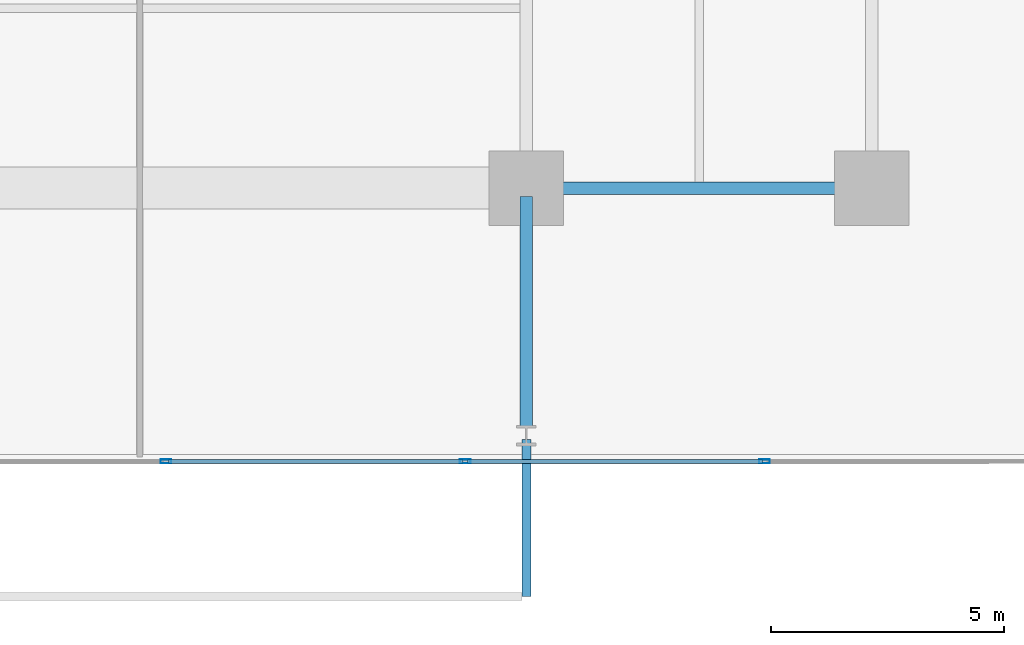
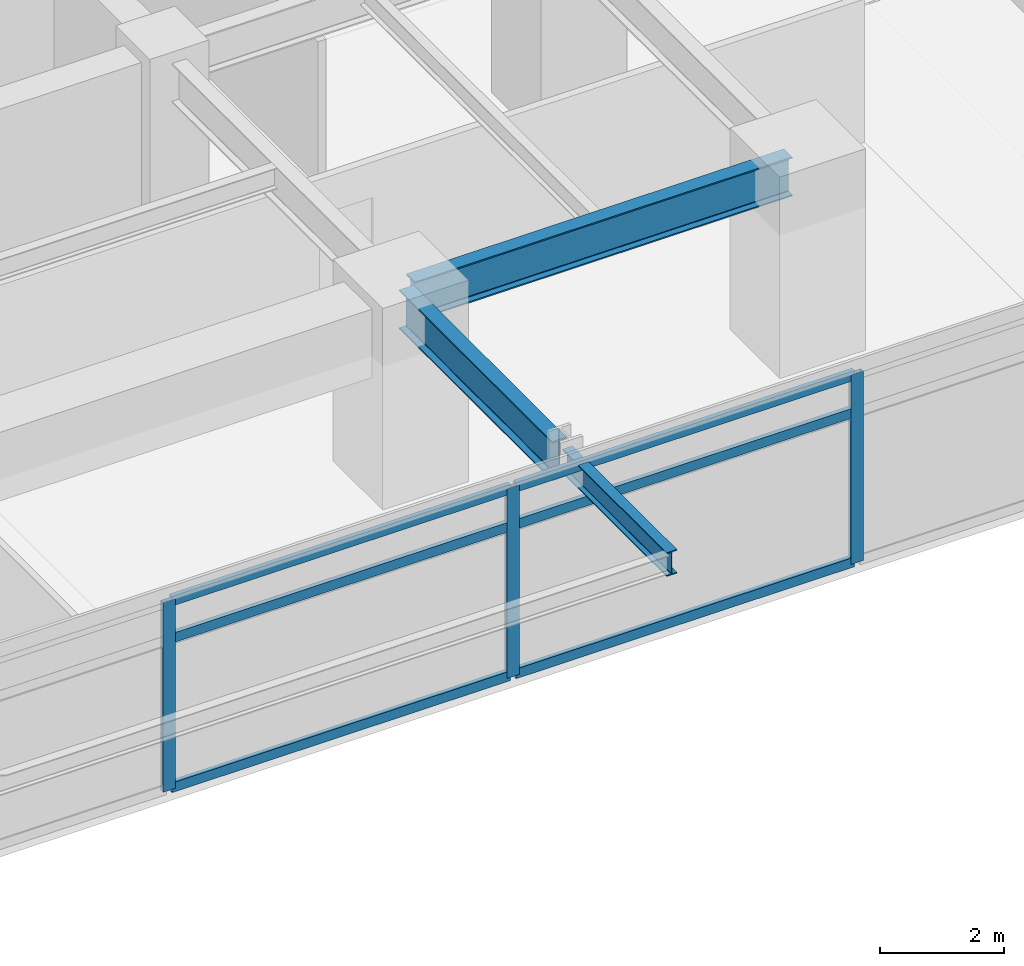
# One storey, part 9 of 24: 9 members, 3 beams, 1 element without a shape of its own.
"""IFC4 building model written with IfcOpenShell, lengths in metres."""

import ifcopenshell
import ifcopenshell.guid

model = None  # the IFC model being written
_history = None  # IfcOwnerHistory: only IFC2X3 demands one
_inside = {}  # id of a spatial element -> (the spatial element, [elements in it])
_under = {}  # id of a project, library or spatial element -> (it, [spatial elements below it])
_declared = {}  # id of a project -> (the project, [libraries it declares])
_typed = {}  # id of a type object -> (the type object, [elements of that type])
_made_of = {}  # id of a material, layer set ... -> (it, [elements and type objects made of it])


def new_model(schema):
    """Start an empty IFC model of exactly this schema.

    Asked for "IFC4X3", IfcOpenShell would pick the latest addendum, in which some entities
    have other attributes; the version numbers below select the first issue.
    IFC2X3 requires an IfcOwnerHistory on every rooted entity: one is made here for all.
    """
    global model, _history
    if schema == "IFC4X3":
        model = ifcopenshell.file(schema_version=(4, 3, 0, 0))
    else:
        model = ifcopenshell.file(schema=schema)
    _inside.clear()
    _under.clear()
    _declared.clear()
    _typed.clear()
    _made_of.clear()
    _history = None
    if model.schema == "IFC2X3":
        org = make("IfcOrganization", Name="unknown")
        user = make(
            "IfcPersonAndOrganization",
            ThePerson=make("IfcPerson", FamilyName="unknown"),
            TheOrganization=org,
        )
        app = make(
            "IfcApplication",
            ApplicationDeveloper=org,
            Version="unknown",
            ApplicationFullName="unknown",
            ApplicationIdentifier="unknown",
        )
        _history = make(
            "IfcOwnerHistory",
            OwningUser=user,
            OwningApplication=app,
            ChangeAction="ADDED",
            CreationDate=0,
        )
    return model


def make(cls, **values):
    """One entity of the class cls with the attributes given. An attribute that is None is left unset."""
    return model.create_entity(
        cls, **{name: value for name, value in values.items() if value is not None}
    )


def rooted(cls, **values):
    """An entity with a GlobalId (a new one), such as an element, a storey or a relation."""
    return make(cls, GlobalId=ifcopenshell.guid.new(), OwnerHistory=_history, **values)


def si_unit(unit_type, name, prefix=None):
    """IfcSIUnit, for example si_unit("LENGTHUNIT", "METRE", prefix="MILLI")."""
    return make("IfcSIUnit", UnitType=unit_type, Prefix=prefix, Name=name)


def assignment(units):
    """IfcUnitAssignment: the units of a project."""
    return None if units is None else make("IfcUnitAssignment", Units=units)


def point(xyz):
    """IfcCartesianPoint."""
    return None if xyz is None else make("IfcCartesianPoint", Coordinates=xyz)


def direction(xyz):
    """IfcDirection."""
    return None if xyz is None else make("IfcDirection", DirectionRatios=xyz)


def frame(location, z_axis=None, x_axis=None):
    """IfcAxis2Placement3D, a coordinate frame: its origin and axes. An axis left out is left unset."""
    return make(
        "IfcAxis2Placement3D",
        Location=point(location),
        Axis=direction(z_axis),
        RefDirection=direction(x_axis),
    )


def frame_2d(location, x_axis=None):
    """IfcAxis2Placement2D, a coordinate frame in the plane: its origin and x axis."""
    return make(
        "IfcAxis2Placement2D", Location=point(location), RefDirection=direction(x_axis)
    )


def origin():
    """The frame at (0, 0, 0) with its axes left unset."""
    return frame((0.0, 0.0, 0.0))


def origin_2d():
    """The frame at (0, 0) in the plane with its x axis left unset."""
    return frame_2d((0.0, 0.0))


def place(relative_to, where):
    """IfcLocalPlacement: puts the frame where relative to a parent placement (None: the world)."""
    return make(
        "IfcLocalPlacement", PlacementRelTo=relative_to, RelativePlacement=where
    )


def context(
    kind, dimensions, precision=None, world=None, true_north=None, identifier=None
):
    """IfcGeometricRepresentationContext, for example the 3D "Model" context."""
    return make(
        "IfcGeometricRepresentationContext",
        ContextIdentifier=identifier,
        ContextType=kind,
        CoordinateSpaceDimension=dimensions,
        Precision=precision,
        WorldCoordinateSystem=world,
        TrueNorth=true_north,
    )


def subcontext(parent, identifier, kind, view, scale=None):
    """IfcGeometricRepresentationSubContext, for example "Body" below "Model"."""
    return make(
        "IfcGeometricRepresentationSubContext",
        ContextIdentifier=identifier,
        ContextType=kind,
        ParentContext=parent,
        TargetScale=scale,
        TargetView=view,
    )


def project(units=None, contexts=None):
    """IfcProject with its units and contexts."""
    return rooted(
        "IfcProject",
        Name="project",
        RepresentationContexts=contexts,
        UnitsInContext=assignment(units),
    )


def spatial(cls, under=None, at=None, **own):
    """A site, building, storey or space (cls), placed at a placement, below another one or the project."""
    s = rooted(cls, ObjectPlacement=at, **own)
    if under is not None:
        _under.setdefault(under.id(), (under, []))[1].append(s)
    return s


def profile(cls, at=None, kind="AREA", **sizes):
    """A parametric profile (cls). Its sizes go by their IFC names, for example OverallWidth=200.0."""
    return make(cls, ProfileType=kind, Position=at, **sizes)


def hollow_rectangle(**sizes):
    """IfcRectangleHollowProfileDef."""
    return profile("IfcRectangleHollowProfileDef", **sizes)


def i_section(**sizes):
    """IfcIShapeProfileDef."""
    return profile("IfcIShapeProfileDef", **sizes)


def extrude(swept, where, along, depth):
    """IfcExtrudedAreaSolid: the profile swept, set in the frame where, extruded along a direction by depth."""
    return make(
        "IfcExtrudedAreaSolid",
        SweptArea=swept,
        Position=where,
        ExtrudedDirection=direction(along),
        Depth=depth,
    )


def shape(context_of_items, identifier, shape_type, items):
    """IfcShapeRepresentation: the items that make up one representation, for example the "Body"."""
    return make(
        "IfcShapeRepresentation",
        ContextOfItems=context_of_items,
        RepresentationIdentifier=identifier,
        RepresentationType=shape_type,
        Items=items,
    )


def material(Name=None, Category=None):
    """IfcMaterial."""
    return make("IfcMaterial", Name=Name, Category=Category)


def material_profile(
    of_material, cross_section, Name=None, Category=None, Priority=None
):
    """IfcMaterialProfile: a cross section and its material."""
    return make(
        "IfcMaterialProfile",
        Name=Name,
        Material=of_material,
        Profile=cross_section,
        Priority=Priority,
        Category=Category,
    )


def profile_set(profiles, Name=None, composite=None):
    """IfcMaterialProfileSet."""
    return make(
        "IfcMaterialProfileSet",
        Name=Name,
        MaterialProfiles=profiles,
        CompositeProfile=composite,
    )


def made_of(thing, what):
    """Note that an element or type object is made of a material, layer set ...; save() writes the relation."""
    if what is not None:
        _made_of.setdefault(what.id(), (what, []))[1].append(thing)
    return thing


def type_object(cls, material=None, **own):
    """A type object (cls), such as IfcWallType, which elements share."""
    return made_of(rooted(cls, **own), material)


def element(
    cls,
    number,
    at=None,
    inside=None,
    cuts=None,
    type_object=None,
    material=None,
    context=None,
    identifier="Body",
    shape_type=None,
    held_by="IfcProductDefinitionShape",
    body=None,
    shapes=None,
    **own,
):
    """One element of the class cls, such as IfcWall. Its Tag is "e" and its number.

    at: its placement. inside: the storey or other place that contains it. cuts: it is an
    opening in that element (IfcRelVoidsElement). A single representation is given by context,
    identifier, shape_type and body (its items); several are given by shapes. held_by: the class
    of the entity that holds the representations. save() writes the other relations.
    """
    e = rooted(cls, Tag="e%d" % number, ObjectPlacement=at, **own)
    if body is not None:
        shapes = [shape(context, identifier, shape_type, body)]
    if shapes is not None:
        e.Representation = make(held_by, Representations=shapes)
    if inside is not None:
        _inside.setdefault(inside.id(), (inside, []))[1].append(e)
    if cuts is not None:
        rooted(
            "IfcRelVoidsElement", RelatingBuildingElement=cuts, RelatedOpeningElement=e
        )
    if type_object is not None:
        _typed.setdefault(type_object.id(), (type_object, []))[1].append(e)
    return made_of(e, material)


def aggregate(whole, parts):
    """IfcRelAggregates: a whole, such as a stair, and the parts it consists of."""
    return rooted("IfcRelAggregates", RelatingObject=whole, RelatedObjects=parts)


def save(model, path):
    """Write the relations noted so far, then the file.

    IfcRelAggregates (storeys below a building ...), IfcRelContainedInSpatialStructure (elements
    in a storey), IfcRelDefinesByType, IfcRelAssociatesMaterial and IfcRelDeclares: one each for
    every whole, place, type object, material and project.
    """
    for whole, parts in _under.values():
        aggregate(whole, parts)
    for where, things in _inside.values():
        rooted(
            "IfcRelContainedInSpatialStructure",
            RelatedElements=things,
            RelatingStructure=where,
        )
    for kind, things in _typed.values():
        rooted("IfcRelDefinesByType", RelatedObjects=things, RelatingType=kind)
    for what, things in _made_of.values():
        rooted("IfcRelAssociatesMaterial", RelatedObjects=things, RelatingMaterial=what)
    for by, libraries in _declared.values():
        rooted("IfcRelDeclares", RelatingContext=by, RelatedDefinitions=libraries)
    model.write(path)


model = new_model("IFC4")

# Units and contexts
model_context = context("Model", 3, precision=1e-05, world=origin(), true_north=direction((0.0, 1.0)))
body_context = subcontext(model_context, "Body", "Model", "MODEL_VIEW")
ifc_project = project(units=[si_unit("LENGTHUNIT", "METRE"), si_unit("AREAUNIT", "SQUARE_METRE"), si_unit("VOLUMEUNIT", "CUBIC_METRE"), si_unit("PLANEANGLEUNIT", "RADIAN"), si_unit("MASSUNIT", "GRAM", prefix="KILO")], contexts=[model_context])

# Site, building, storey
site_placement = place(None, origin())
site = spatial("IfcSite", under=ifc_project, at=site_placement, CompositionType="ELEMENT")
building_placement = place(site_placement, origin())
building = spatial("IfcBuilding", under=site, at=building_placement, Name="Kovane Verandah Tower", CompositionType="ELEMENT")
storey_placement = place(building_placement, frame((0.0, 0.0, 132.39990234375)))
storey = spatial("IfcBuildingStorey", under=building, at=storey_placement, Name="L30", CompositionType="ELEMENT", Elevation=132.39990234375)

# Beams
ifc_material_1 = material(Name="Steel S355", Category="steel")
ifc_material_profile_1 = material_profile(ifc_material_1, i_section(OverallWidth=0.26806640625, OverallDepth=0.769775390625, WebThickness=0.015625, FlangeThickness=0.025390625, FilletRadius=0.0166015625, at=origin_2d()), Name="UB762x267x197")
ifc_profile_set_1 = profile_set([ifc_material_profile_1], Name="Steel S355")
beam_type_1 = type_object("IfcBeamType", Name="BM-UB762x197", PredefinedType="BEAM", material=ifc_profile_set_1)
beam_1_placement = place(storey_placement, frame((51.179931640625, 10.800048828125, 3.39013671875), z_axis=(1.0, 0.0, 0.0), x_axis=(0.0, 1.0, 0.0)))
element("IfcBeam", 1, at=beam_1_placement, inside=storey, type_object=beam_type_1, Name="L30 Primary Tower Girder G-RS3", PredefinedType="BEAM", context=body_context, shape_type="SweptSolid", body=[
    extrude(i_section(OverallWidth=0.26806640625, OverallDepth=0.769775390625, WebThickness=0.015625, FlangeThickness=0.025390625, FilletRadius=0.0166015625, at=origin_2d()), origin(), (0.0, 0.0, 1.0), 7.0400390625),
])
beam_2_placement = place(storey_placement, frame((51.0, 10.6201171875, 3.375244140625), z_axis=(0.0, -1.0, 0.0), x_axis=(1.0, 0.0, 0.0)))
element("IfcBeam", 2, at=beam_2_placement, inside=storey, type_object=beam_type_1, Name="L30 Primary Tower Girder G-VS2", PredefinedType="BEAM", context=body_context, shape_type="SweptSolid", body=[
    extrude(i_section(OverallWidth=0.26806640625, OverallDepth=0.769775390625, WebThickness=0.015625, FlangeThickness=0.025390625, FilletRadius=0.0166015625, at=origin_2d()), origin(), (0.0, 0.0, 1.0), 4.940185546875),
])

# Curtain wall, members
ifc_material_2 = material(Name="Champagne Anodised Aluminium Frame with Low-E Clear Laminated Glass", Category="aluminium")
curtain_wall_type = type_object("IfcCurtainWallType", Name="CW-SYS-03-MID", PredefinedType="NOTDEFINED", material=ifc_material_2)
curtain_wall_placement = place(storey_placement, origin())
curtain_wall = element("IfcCurtainWall", 3, at=curtain_wall_placement, inside=storey, type_object=curtain_wall_type, Name="L30 S Unitised Curtain Wall", PredefinedType="NOTDEFINED")
ifc_material_3 = material(Name="Champagne Anodised Aluminium 6063-T6", Category="aluminium")
ifc_material_profile_2 = material_profile(ifc_material_3, hollow_rectangle(XDim=0.0849609375, YDim=0.22998046875, WallThickness=0.00390625, at=origin_2d()), Name="AL85x230x4")
ifc_profile_set_2 = profile_set([ifc_material_profile_2], Name="Champagne Anodised Aluminium 6063-T6")
member_type_1 = type_object("IfcMemberType", Name="CW-MUL-85x230", PredefinedType="MULLION", material=ifc_profile_set_2)
member_1_placement = place(storey_placement, frame((43.28125, 4.9462890625, 0.02001953125), z_axis=(0.0, 0.0, 1.0), x_axis=(0.0, -1.0, 0.0)))
member_1 = element("IfcMember", 4, at=member_1_placement, type_object=member_type_1, Name="L30 S Unitised Curtain Wall Mullion 5", PredefinedType="MULLION", context=body_context, shape_type="SweptSolid", body=[
    extrude(hollow_rectangle(XDim=0.0849609375, YDim=0.22998046875, WallThickness=0.00390625, at=origin_2d()), origin(), (0.0, 0.0, 1.0), 3.735107421875),
])
member_2_placement = place(storey_placement, frame((49.692138671875, 4.9462890625, 0.02001953125), z_axis=(0.0, 0.0, 1.0), x_axis=(0.0, -1.0, 0.0)))
member_2 = element("IfcMember", 5, at=member_2_placement, type_object=member_type_1, Name="L30 S Unitised Curtain Wall Mullion 6", PredefinedType="MULLION", context=body_context, shape_type="SweptSolid", body=[
    extrude(hollow_rectangle(XDim=0.0849609375, YDim=0.22998046875, WallThickness=0.00390625, at=origin_2d()), origin(), (0.0, 0.0, 1.0), 3.735107421875),
])
member_3_placement = place(storey_placement, frame((56.103271484375, 4.9462890625, 0.02001953125), z_axis=(0.0, 0.0, 1.0), x_axis=(0.0, -1.0, 0.0)))
member_3 = element("IfcMember", 6, at=member_3_placement, type_object=member_type_1, Name="L30 S Unitised Curtain Wall Mullion 7", PredefinedType="MULLION", context=body_context, shape_type="SweptSolid", body=[
    extrude(hollow_rectangle(XDim=0.0849609375, YDim=0.22998046875, WallThickness=0.00390625, at=origin_2d()), origin(), (0.0, 0.0, 1.0), 3.735107421875),
])
ifc_material_profile_3 = material_profile(ifc_material_3, hollow_rectangle(XDim=0.0849609375, YDim=0.18994140625, WallThickness=0.00390625, at=origin_2d()), Name="AL85x190x4")
ifc_profile_set_3 = profile_set([ifc_material_profile_3], Name="Champagne Anodised Aluminium 6063-T6")
member_type_2 = type_object("IfcMemberType", Name="CW-TRN-85x190", PredefinedType="USERDEFINED", material=ifc_profile_set_3)
member_4_placement = place(storey_placement, frame((43.331298828125, 4.9462890625, 0.050048828125), z_axis=(1.0, 0.0, 0.0), x_axis=(0.0, 1.0, 0.0)))
member_4 = element("IfcMember", 7, at=member_4_placement, type_object=member_type_2, Name="L30 S Unitised Curtain Wall Transom TB Bay 5", ObjectType="TRANSOM", PredefinedType="USERDEFINED", context=body_context, shape_type="SweptSolid", body=[
    extrude(hollow_rectangle(XDim=0.0849609375, YDim=0.18994140625, WallThickness=0.00390625, at=origin_2d()), origin(), (0.0, 0.0, 1.0), 6.310791015625),
])
member_5_placement = place(storey_placement, frame((43.331298828125, 4.9462890625, 2.9951171875), z_axis=(1.0, 0.0, 0.0), x_axis=(0.0, 1.0, 0.0)))
member_5 = element("IfcMember", 8, at=member_5_placement, type_object=member_type_2, Name="L30 S Unitised Curtain Wall Transom TM Bay 5", ObjectType="TRANSOM", PredefinedType="USERDEFINED", context=body_context, shape_type="SweptSolid", body=[
    extrude(hollow_rectangle(XDim=0.0849609375, YDim=0.18994140625, WallThickness=0.00390625, at=origin_2d()), origin(), (0.0, 0.0, 1.0), 6.310791015625),
])
member_6_placement = place(storey_placement, frame((43.331298828125, 4.9462890625, 3.72509765625), z_axis=(1.0, 0.0, 0.0), x_axis=(0.0, 1.0, 0.0)))
member_6 = element("IfcMember", 9, at=member_6_placement, type_object=member_type_2, Name="L30 S Unitised Curtain Wall Transom TT Bay 5", ObjectType="TRANSOM", PredefinedType="USERDEFINED", context=body_context, shape_type="SweptSolid", body=[
    extrude(hollow_rectangle(XDim=0.0849609375, YDim=0.18994140625, WallThickness=0.00390625, at=origin_2d()), origin(), (0.0, 0.0, 1.0), 6.310791015625),
])
member_7_placement = place(storey_placement, frame((49.7421875, 4.9462890625, 0.050048828125), z_axis=(1.0, 0.0, 0.0), x_axis=(0.0, 1.0, 0.0)))
member_7 = element("IfcMember", 10, at=member_7_placement, type_object=member_type_2, Name="L30 S Unitised Curtain Wall Transom TB Bay 6", ObjectType="TRANSOM", PredefinedType="USERDEFINED", context=body_context, shape_type="SweptSolid", body=[
    extrude(hollow_rectangle(XDim=0.0849609375, YDim=0.18994140625, WallThickness=0.00390625, at=origin_2d()), origin(), (0.0, 0.0, 1.0), 6.31103515625),
])
member_8_placement = place(storey_placement, frame((49.7421875, 4.9462890625, 2.9951171875), z_axis=(1.0, 0.0, 0.0), x_axis=(0.0, 1.0, 0.0)))
member_8 = element("IfcMember", 11, at=member_8_placement, type_object=member_type_2, Name="L30 S Unitised Curtain Wall Transom TM Bay 6", ObjectType="TRANSOM", PredefinedType="USERDEFINED", context=body_context, shape_type="SweptSolid", body=[
    extrude(hollow_rectangle(XDim=0.0849609375, YDim=0.18994140625, WallThickness=0.00390625, at=origin_2d()), origin(), (0.0, 0.0, 1.0), 6.31103515625),
])
member_9_placement = place(storey_placement, frame((49.7421875, 4.9462890625, 3.72509765625), z_axis=(1.0, 0.0, 0.0), x_axis=(0.0, 1.0, 0.0)))
member_9 = element("IfcMember", 12, at=member_9_placement, type_object=member_type_2, Name="L30 S Unitised Curtain Wall Transom TT Bay 6", ObjectType="TRANSOM", PredefinedType="USERDEFINED", context=body_context, shape_type="SweptSolid", body=[
    extrude(hollow_rectangle(XDim=0.0849609375, YDim=0.18994140625, WallThickness=0.00390625, at=origin_2d()), origin(), (0.0, 0.0, 1.0), 6.31103515625),
])
aggregate(curtain_wall, [member_1, member_2, member_3, member_4, member_5, member_6, member_7, member_8, member_9])

# Beam
ifc_material_profile_4 = material_profile(ifc_material_1, i_section(OverallWidth=0.19287109375, OverallDepth=0.46728515625, WebThickness=0.011474609375, FlangeThickness=0.01953125, FilletRadius=0.01025390625, at=origin_2d()), Name="UB457x191x98")
ifc_profile_set_4 = profile_set([ifc_material_profile_4], Name="Steel S355")
beam_type_2 = type_object("IfcBeamType", Name="JST-UB457x98", PredefinedType="JOIST", material=ifc_profile_set_4)
beam_3_placement = place(storey_placement, frame((51.0, 5.419921875, 3.526611328125), z_axis=(0.0, -1.0, 0.0), x_axis=(1.0, 0.0, 0.0)))
element("IfcBeam", 13, at=beam_3_placement, inside=storey, type_object=beam_type_2, Name="L30 South Planter Girder 2", PredefinedType="JOIST", context=body_context, shape_type="SweptSolid", body=[
    extrude(i_section(OverallWidth=0.19287109375, OverallDepth=0.46728515625, WebThickness=0.011474609375, FlangeThickness=0.01953125, FilletRadius=0.01025390625, at=origin_2d()), origin(), (0.0, 0.0, 1.0), 3.370361328125),
])

save(model, "model.ifc")
